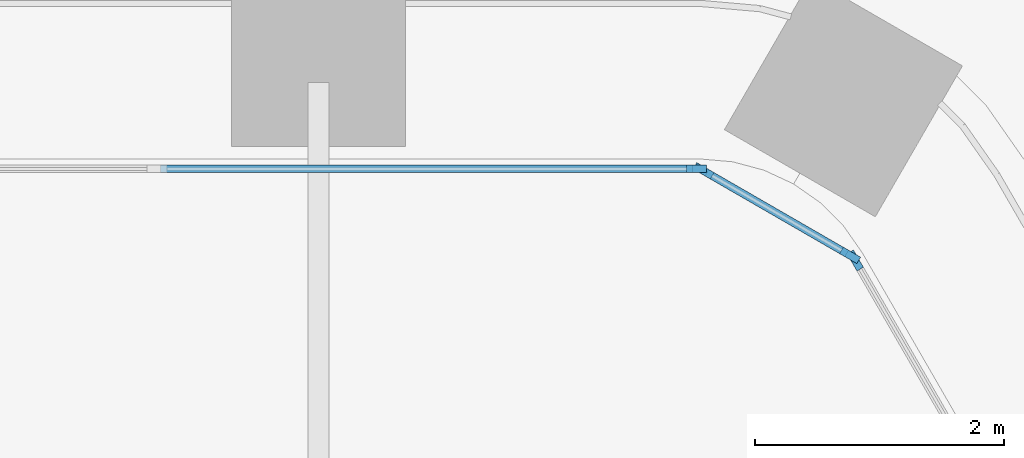
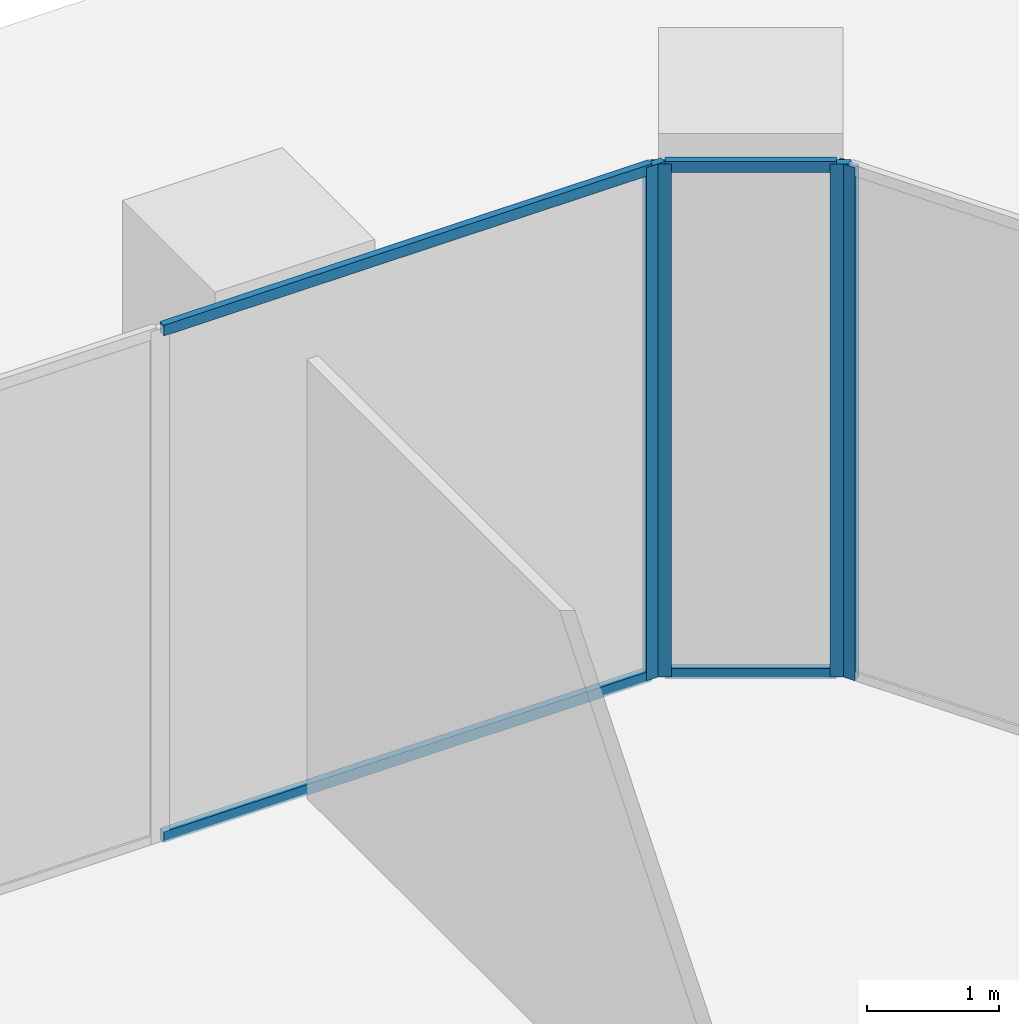
# One storey, part 13 of 29: 8 members, 3 elements without a shape of their own.
"""IFC4 building model written with IfcOpenShell, lengths in metres."""

from ifc_helpers import new_model, si_unit, direction, frame, origin, origin_2d, place, context, subcontext, project, spatial, rectangle, extrude, material, material_profile, profile_set, type_object, element, aggregate, save


model = new_model("IFC4")

# Units and contexts
model_context = context("Model", 3, precision=1e-05, world=origin(), true_north=direction((0.0, 1.0)))
body_context = subcontext(model_context, "Body", "Model", "MODEL_VIEW")
ifc_project = project(units=[si_unit("LENGTHUNIT", "METRE"), si_unit("AREAUNIT", "SQUARE_METRE"), si_unit("VOLUMEUNIT", "CUBIC_METRE"), si_unit("PLANEANGLEUNIT", "RADIAN"), si_unit("MASSUNIT", "GRAM", prefix="KILO")], contexts=[model_context])

# Site, building, storey
site_placement = place(None, origin())
site = spatial("IfcSite", under=ifc_project, at=site_placement, CompositionType="ELEMENT")
building_placement = place(site_placement, origin())
building = spatial("IfcBuilding", under=site, at=building_placement, Name="Kolab Exchange Tower", CompositionType="ELEMENT")
storey_placement = place(building_placement, frame((0.0, 0.0, 17.39990234375)))
storey = spatial("IfcBuildingStorey", under=building, at=storey_placement, Name="L03", CompositionType="ELEMENT", Elevation=17.39990234375)

# Curtain wall, member
ifc_material = material(Name="Aluminium EN AW-6063 T6", Category="aluminium")
curtain_wall_type = type_object("IfcCurtainWallType", Name="UNITISED LOW ZONE CURTAIN WALL", PredefinedType="NOTDEFINED", material=ifc_material)
curtain_wall_1_placement = place(storey_placement, origin())
curtain_wall_1 = element("IfcCurtainWall", 1, at=curtain_wall_1_placement, inside=storey, type_object=curtain_wall_type, Name="cw/L03/F1-2", PredefinedType="NOTDEFINED")
ifc_material_profile_1 = material_profile(ifc_material, rectangle(XDim=0.06005859375, YDim=0.159912109375, at=origin_2d()), Name="RECT 60X160")
ifc_profile_set_1 = profile_set([ifc_material_profile_1], Name="Aluminium EN AW-6063 T6")
member_type_1 = type_object("IfcMemberType", Name="UNITISED LOW ZONE MULLION 60 X 160", PredefinedType="MULLION", material=ifc_profile_set_1)
member_1_placement = place(storey_placement, frame((17.43798828125, 31.67529296875, 0.0), z_axis=(0.0, 0.0, 1.0), x_axis=(0.0, 1.0, 0.0)))
member_1 = element("IfcMember", 2, at=member_1_placement, type_object=member_type_1, Name="CW1 mullion 5", PredefinedType="MULLION", context=body_context, shape_type="SweptSolid", body=[
    extrude(rectangle(XDim=0.06005859375, YDim=0.159912109375, at=origin_2d()), origin(), (0.0, 0.0, 1.0), 4.75),
])

curtain_wall_2_placement = place(storey_placement, origin())
curtain_wall_2 = element("IfcCurtainWall", 3, at=curtain_wall_2_placement, inside=storey, type_object=curtain_wall_type, Name="cw/L03/F2-1", PredefinedType="NOTDEFINED")
member_2_placement = place(storey_placement, frame((18.712646484375, 30.939453125, 0.0), z_axis=(0.0, 0.0, 1.0), x_axis=(0.866025393644, 0.500000017564, 0.0)))
member_2 = element("IfcMember", 4, at=member_2_placement, type_object=member_type_1, Name="CW1 mullion 1", PredefinedType="MULLION", context=body_context, shape_type="SweptSolid", body=[
    extrude(rectangle(XDim=0.06005859375, YDim=0.159912109375, at=origin_2d()), origin(), (0.0, 0.0, 1.0), 4.75),
])
aggregate(curtain_wall_2, [member_2])

# Curtain wall, members
curtain_wall_3_placement = place(storey_placement, origin())
curtain_wall_3 = element("IfcCurtainWall", 5, at=curtain_wall_3_placement, inside=storey, type_object=curtain_wall_type, Name="cw/L03/F1F2-corner", PredefinedType="NOTDEFINED")
member_3_placement = place(storey_placement, frame((17.493896484375, 31.660400390625, 0.0), z_axis=(0.0, 0.0, 1.0), x_axis=(0.50000002237, 0.866025390869, 0.0)))
member_3 = element("IfcMember", 6, at=member_3_placement, type_object=member_type_1, Name="CW1 mullion 1", PredefinedType="MULLION", context=body_context, shape_type="SweptSolid", body=[
    extrude(rectangle(XDim=0.06005859375, YDim=0.159912109375, at=origin_2d()), origin(), (0.0, 0.0, 1.0), 4.75),
])
member_4_placement = place(storey_placement, frame((18.671630859375, 30.98046875, 0.0), z_axis=(0.0, 0.0, 1.0), x_axis=(0.50000002237, 0.866025390869, 0.0)))
member_4 = element("IfcMember", 7, at=member_4_placement, type_object=member_type_1, Name="CW1 mullion 2", PredefinedType="MULLION", context=body_context, shape_type="SweptSolid", body=[
    extrude(rectangle(XDim=0.06005859375, YDim=0.159912109375, at=origin_2d()), origin(), (0.0, 0.0, 1.0), 4.75),
])

# Member
ifc_material_profile_2 = material_profile(ifc_material, rectangle(XDim=0.06005859375, YDim=0.10009765625, at=origin_2d()), Name="RECT 60X100")
ifc_profile_set_2 = profile_set([ifc_material_profile_2], Name="Aluminium EN AW-6063 T6")
member_type_2 = type_object("IfcMemberType", Name="UNITISED LOW ZONE TRANSOM 60 X 100", PredefinedType="USERDEFINED", material=ifc_profile_set_2)
member_5_placement = place(storey_placement, frame((13.130859375, 31.67529296875, 0.030029296875), z_axis=(1.0, 0.0, 0.0), x_axis=(0.0, 1.0, 0.0)))
member_5 = element("IfcMember", 8, at=member_5_placement, type_object=member_type_2, Name="CW1 transom 4.1", ObjectType="TRANSOM", PredefinedType="USERDEFINED", context=body_context, shape_type="SweptSolid", body=[
    extrude(rectangle(XDim=0.06005859375, YDim=0.10009765625, at=origin_2d()), origin(), (0.0, 0.0, 1.0), 4.277099609375),
])

member_6_placement = place(storey_placement, frame((13.130859375, 31.67529296875, 4.72021484375), z_axis=(1.0, 0.0, 0.0), x_axis=(0.0, 1.0, 0.0)))
member_6 = element("IfcMember", 9, at=member_6_placement, type_object=member_type_2, Name="CW1 transom 4.2", ObjectType="TRANSOM", PredefinedType="USERDEFINED", context=body_context, shape_type="SweptSolid", body=[
    extrude(rectangle(XDim=0.06005859375, YDim=0.10009765625, at=origin_2d()), origin(), (0.0, 0.0, 1.0), 4.277099609375),
])

aggregate(curtain_wall_1, [member_1, member_5, member_6])

member_7_placement = place(storey_placement, frame((17.52001953125, 31.645263671875, 0.030029296875), z_axis=(0.86603858612, -0.49997716683, 0.0), x_axis=(0.49997716683, 0.86603858612, 0.0)))
member_7 = element("IfcMember", 10, at=member_7_placement, type_object=member_type_2, Name="CW1 transom 1.1", ObjectType="TRANSOM", PredefinedType="USERDEFINED", context=body_context, shape_type="SweptSolid", body=[
    extrude(rectangle(XDim=0.06005859375, YDim=0.10009765625, at=origin_2d()), origin(), (0.0, 0.0, 1.0), 1.2998046875),
])

member_8_placement = place(storey_placement, frame((17.52001953125, 31.645263671875, 4.72021484375), z_axis=(0.86603858612, -0.49997716683, 0.0), x_axis=(0.49997716683, 0.86603858612, 0.0)))
member_8 = element("IfcMember", 11, at=member_8_placement, type_object=member_type_2, Name="CW1 transom 1.2", ObjectType="TRANSOM", PredefinedType="USERDEFINED", context=body_context, shape_type="SweptSolid", body=[
    extrude(rectangle(XDim=0.06005859375, YDim=0.10009765625, at=origin_2d()), origin(), (0.0, 0.0, 1.0), 1.2998046875),
])

aggregate(curtain_wall_3, [member_3, member_4, member_7, member_8])

save(model, "model.ifc")
